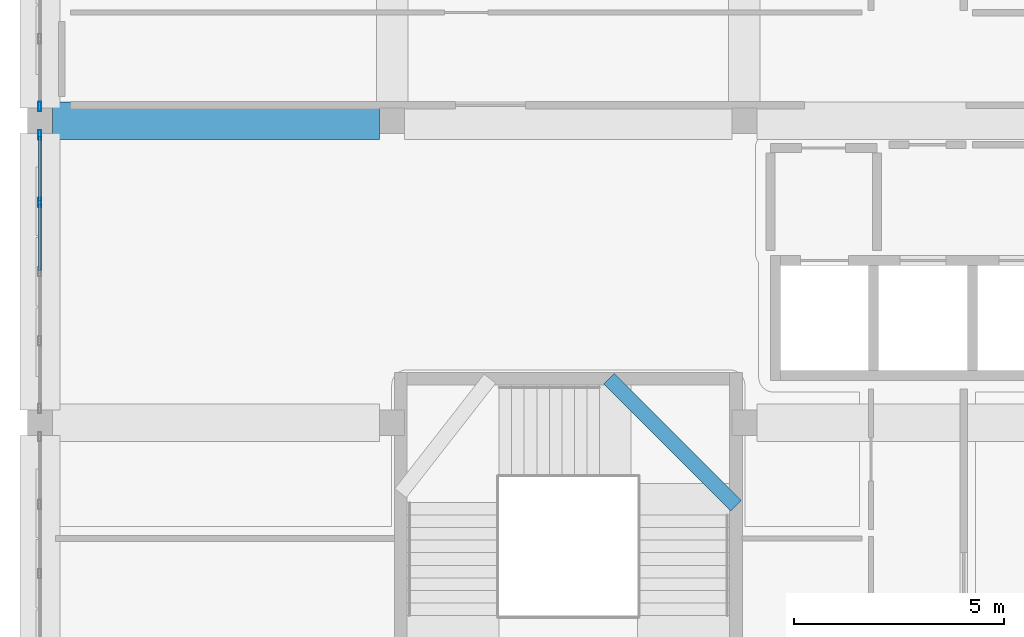
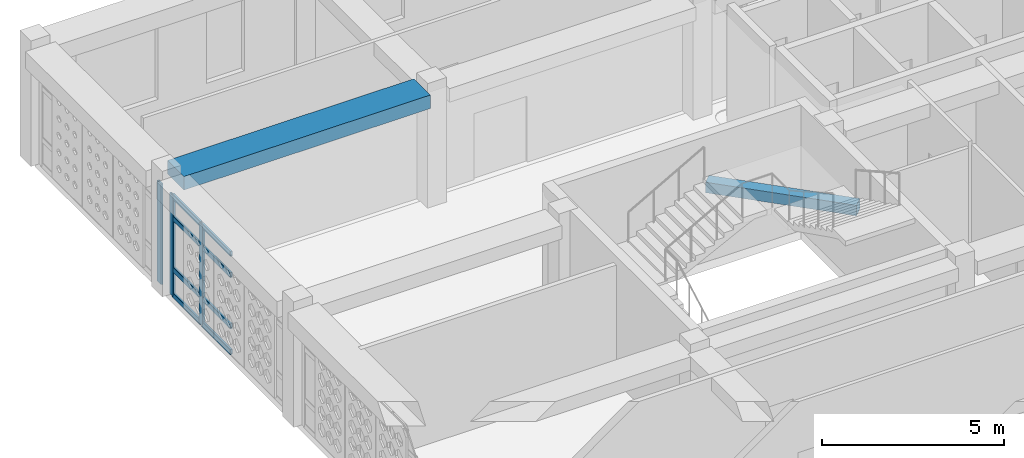
# One storey, part 9 of 48: 11 members, 2 beams, 2 elements without a shape of their own.
"""IFC4 building model written with IfcOpenShell, lengths in metres."""

from ifc_helpers import new_model, si_unit, derived_unit, direction, frame, origin, origin_2d, place, context, subcontext, project, spatial, rectangle, hollow_rectangle, extrude, material, material_profile, profile_set, type_object, element, aggregate, save


model = new_model("IFC4")

# Units and contexts
model_context = context("Model", 3, precision=1e-05, world=origin(), true_north=direction((0.0, 1.0)))
body_context = subcontext(model_context, "Body", "Model", "MODEL_VIEW")
ifc_project = project(units=[si_unit("LENGTHUNIT", "METRE"), si_unit("AREAUNIT", "SQUARE_METRE"), si_unit("VOLUMEUNIT", "CUBIC_METRE"), si_unit("PLANEANGLEUNIT", "RADIAN"), si_unit("MASSUNIT", "GRAM", prefix="KILO"), derived_unit("THERMALTRANSMITTANCEUNIT", [(si_unit("POWERUNIT", "WATT"), 1), (si_unit("LENGTHUNIT", "METRE"), -2), (si_unit("THERMODYNAMICTEMPERATUREUNIT", "KELVIN"), -1)])], contexts=[model_context])

# Site, building, storey
site_placement = place(None, origin())
site = spatial("IfcSite", under=ifc_project, at=site_placement, CompositionType="ELEMENT")
building_placement = place(site_placement, origin())
building = spatial("IfcBuilding", under=site, at=building_placement, Name="Veybourne Emporium", CompositionType="ELEMENT")
storey_placement = place(building_placement, frame((0.0, 0.0, 27.89990234375)))
storey = spatial("IfcBuildingStorey", under=building, at=storey_placement, Name="L06", CompositionType="ELEMENT", Elevation=27.89990234375)

# Curtain wall, members
ifc_material_1 = material(Name="Patinated Architectural Bronze", Category="bronze")
curtain_wall_type_1 = type_object("IfcCurtainWallType", Name="CWSystem_CWS-13", PredefinedType="NOTDEFINED", material=ifc_material_1)
curtain_wall_1_placement = place(storey_placement, origin())
curtain_wall_1 = element("IfcCurtainWall", 1, at=curtain_wall_1_placement, inside=storey, type_object=curtain_wall_type_1, Name="L06 bronze glazed curtain wall CWS-13 (005)", PredefinedType="NOTDEFINED")
ifc_material_profile_1 = material_profile(ifc_material_1, hollow_rectangle(XDim=0.072021484375, YDim=0.22509765625, WallThickness=0.0048828125, InnerFilletRadius=0.007568359375, OuterFilletRadius=0.012451171875, at=origin_2d()), Name="CWM 72x225x5")
ifc_profile_set_1 = profile_set([ifc_material_profile_1], Name="Patinated Architectural Bronze")
member_type_1 = type_object("IfcMemberType", Name="CWMullion_CW-M1", PredefinedType="MULLION", material=ifc_profile_set_1)
member_1_placement = place(storey_placement, frame((0.0, 41.25, 0.0), z_axis=(0.0, 0.0, 1.0), x_axis=(-1.0, 0.0, 0.0)))
member_1 = element("IfcMember", 2, at=member_1_placement, type_object=member_type_1, Name="CWS-13 mullion 4", PredefinedType="MULLION", context=body_context, shape_type="SweptSolid", body=[
    extrude(hollow_rectangle(XDim=0.072021484375, YDim=0.22509765625, WallThickness=0.0048828125, InnerFilletRadius=0.007568359375, OuterFilletRadius=0.012451171875, at=origin_2d()), origin(), (0.0, 0.0, 1.0), 3.360107421875),
])
member_2_placement = place(storey_placement, frame((0.0, 42.864013671875, 0.0), z_axis=(0.0, 0.0, 1.0), x_axis=(-1.0, 0.0, 0.0)))
member_2 = element("IfcMember", 3, at=member_2_placement, type_object=member_type_1, Name="CWS-13 mullion 5", PredefinedType="MULLION", context=body_context, shape_type="SweptSolid", body=[
    extrude(hollow_rectangle(XDim=0.072021484375, YDim=0.22509765625, WallThickness=0.0048828125, InnerFilletRadius=0.007568359375, OuterFilletRadius=0.012451171875, at=origin_2d()), origin(), (0.0, 0.0, 1.0), 3.360107421875),
])

# Curtain wall, member
curtain_wall_type_2 = type_object("IfcCurtainWallType", Name="CWSystem_CWS-14", PredefinedType="NOTDEFINED", material=ifc_material_1)
curtain_wall_2_placement = place(storey_placement, origin())
curtain_wall_2 = element("IfcCurtainWall", 4, at=curtain_wall_2_placement, inside=storey, type_object=curtain_wall_type_2, Name="L06 bronze glazed curtain wall CWS-14 (007)", PredefinedType="NOTDEFINED")
ifc_material_profile_2 = material_profile(ifc_material_1, hollow_rectangle(XDim=0.074951171875, YDim=0.22998046875, WallThickness=0.0048828125, InnerFilletRadius=0.007568359375, OuterFilletRadius=0.012451171875, at=origin_2d()), Name="CWM 75x230x5")
ifc_profile_set_2 = profile_set([ifc_material_profile_2], Name="Patinated Architectural Bronze")
member_type_2 = type_object("IfcMemberType", Name="CWMullion_CW-M2", PredefinedType="MULLION", material=ifc_profile_set_2)
member_3_placement = place(storey_placement, frame((0.0, 43.53759765625, 0.0), z_axis=(0.0, 0.0, 1.0), x_axis=(-1.0, 0.0, 0.0)))
member_3 = element("IfcMember", 5, at=member_3_placement, type_object=member_type_2, Name="CWS-14 mullion 1", PredefinedType="MULLION", context=body_context, shape_type="SweptSolid", body=[
    extrude(hollow_rectangle(XDim=0.074951171875, YDim=0.22998046875, WallThickness=0.0048828125, InnerFilletRadius=0.007568359375, OuterFilletRadius=0.012451171875, at=origin_2d()), origin(), (0.0, 0.0, 1.0), 3.360107421875),
])
aggregate(curtain_wall_2, [member_3])

# Member
ifc_material_profile_3 = material_profile(ifc_material_1, hollow_rectangle(XDim=0.072021484375, YDim=0.175048828125, WallThickness=0.0048828125, InnerFilletRadius=0.007568359375, OuterFilletRadius=0.012451171875, at=origin_2d()), Name="CWT 72x175x5")
ifc_profile_set_3 = profile_set([ifc_material_profile_3], Name="Patinated Architectural Bronze")
member_type_3 = type_object("IfcMemberType", Name="CWTransom_CW-T1", PredefinedType="NOTDEFINED", material=ifc_profile_set_3)
member_4_placement = place(storey_placement, frame((0.0, 39.635986328125, 0.0361328125), z_axis=(0.0, 1.0, 0.0), x_axis=(-1.0, 0.0, 0.0)))
member_4 = element("IfcMember", 6, at=member_4_placement, type_object=member_type_3, Name="CWS-13 transom 3.1", ObjectType="TRANSOM", PredefinedType="USERDEFINED", context=body_context, shape_type="SweptSolid", body=[
    extrude(hollow_rectangle(XDim=0.072021484375, YDim=0.175048828125, WallThickness=0.0048828125, InnerFilletRadius=0.007568359375, OuterFilletRadius=0.012451171875, at=origin_2d()), origin(), (0.0, 0.0, 1.0), 1.578125),
])

member_5_placement = place(storey_placement, frame((0.0, 39.635986328125, 0.900146484375), z_axis=(0.0, 1.0, 0.0), x_axis=(-1.0, 0.0, 0.0)))
member_5 = element("IfcMember", 7, at=member_5_placement, type_object=member_type_3, Name="CWS-13 transom 3.2", ObjectType="TRANSOM", PredefinedType="USERDEFINED", context=body_context, shape_type="SweptSolid", body=[
    extrude(hollow_rectangle(XDim=0.072021484375, YDim=0.175048828125, WallThickness=0.0048828125, InnerFilletRadius=0.007568359375, OuterFilletRadius=0.012451171875, at=origin_2d()), origin(), (0.0, 0.0, 1.0), 1.578125),
])

member_6_placement = place(storey_placement, frame((0.0, 39.635986328125, 2.610107421875), z_axis=(0.0, 1.0, 0.0), x_axis=(-1.0, 0.0, 0.0)))
member_6 = element("IfcMember", 8, at=member_6_placement, type_object=member_type_3, Name="CWS-13 transom 3.3", ObjectType="TRANSOM", PredefinedType="USERDEFINED", context=body_context, shape_type="SweptSolid", body=[
    extrude(hollow_rectangle(XDim=0.072021484375, YDim=0.175048828125, WallThickness=0.0048828125, InnerFilletRadius=0.007568359375, OuterFilletRadius=0.012451171875, at=origin_2d()), origin(), (0.0, 0.0, 1.0), 1.578125),
])

member_7_placement = place(storey_placement, frame((0.0, 39.635986328125, 3.32421875), z_axis=(0.0, 1.0, 0.0), x_axis=(-1.0, 0.0, 0.0)))
member_7 = element("IfcMember", 9, at=member_7_placement, type_object=member_type_3, Name="CWS-13 transom 3.4", ObjectType="TRANSOM", PredefinedType="USERDEFINED", context=body_context, shape_type="SweptSolid", body=[
    extrude(hollow_rectangle(XDim=0.072021484375, YDim=0.175048828125, WallThickness=0.0048828125, InnerFilletRadius=0.007568359375, OuterFilletRadius=0.012451171875, at=origin_2d()), origin(), (0.0, 0.0, 1.0), 1.578125),
])

member_8_placement = place(storey_placement, frame((0.0, 41.285888671875, 0.0361328125), z_axis=(0.0, 1.0, 0.0), x_axis=(-1.0, 0.0, 0.0)))
member_8 = element("IfcMember", 10, at=member_8_placement, type_object=member_type_3, Name="CWS-13 transom 4.1", ObjectType="TRANSOM", PredefinedType="USERDEFINED", context=body_context, shape_type="SweptSolid", body=[
    extrude(hollow_rectangle(XDim=0.072021484375, YDim=0.175048828125, WallThickness=0.0048828125, InnerFilletRadius=0.007568359375, OuterFilletRadius=0.012451171875, at=origin_2d()), origin(), (0.0, 0.0, 1.0), 1.5419921875),
])

member_9_placement = place(storey_placement, frame((0.0, 41.285888671875, 0.900146484375), z_axis=(0.0, 1.0, 0.0), x_axis=(-1.0, 0.0, 0.0)))
member_9 = element("IfcMember", 11, at=member_9_placement, type_object=member_type_3, Name="CWS-13 transom 4.2", ObjectType="TRANSOM", PredefinedType="USERDEFINED", context=body_context, shape_type="SweptSolid", body=[
    extrude(hollow_rectangle(XDim=0.072021484375, YDim=0.175048828125, WallThickness=0.0048828125, InnerFilletRadius=0.007568359375, OuterFilletRadius=0.012451171875, at=origin_2d()), origin(), (0.0, 0.0, 1.0), 1.5419921875),
])

member_10_placement = place(storey_placement, frame((0.0, 41.285888671875, 2.610107421875), z_axis=(0.0, 1.0, 0.0), x_axis=(-1.0, 0.0, 0.0)))
member_10 = element("IfcMember", 12, at=member_10_placement, type_object=member_type_3, Name="CWS-13 transom 4.3", ObjectType="TRANSOM", PredefinedType="USERDEFINED", context=body_context, shape_type="SweptSolid", body=[
    extrude(hollow_rectangle(XDim=0.072021484375, YDim=0.175048828125, WallThickness=0.0048828125, InnerFilletRadius=0.007568359375, OuterFilletRadius=0.012451171875, at=origin_2d()), origin(), (0.0, 0.0, 1.0), 1.5419921875),
])

member_11_placement = place(storey_placement, frame((0.0, 41.285888671875, 3.32421875), z_axis=(0.0, 1.0, 0.0), x_axis=(-1.0, 0.0, 0.0)))
member_11 = element("IfcMember", 13, at=member_11_placement, type_object=member_type_3, Name="CWS-13 transom 4.4", ObjectType="TRANSOM", PredefinedType="USERDEFINED", context=body_context, shape_type="SweptSolid", body=[
    extrude(hollow_rectangle(XDim=0.072021484375, YDim=0.175048828125, WallThickness=0.0048828125, InnerFilletRadius=0.007568359375, OuterFilletRadius=0.012451171875, at=origin_2d()), origin(), (0.0, 0.0, 1.0), 1.5419921875),
])

aggregate(curtain_wall_1, [member_1, member_2, member_4, member_5, member_6, member_7, member_8, member_9, member_10, member_11])

# Beams
ifc_material_2 = material(Name="Concrete C32/40", Category="concrete")
ifc_material_profile_4 = material_profile(ifc_material_2, rectangle(XDim=0.35009765625, YDim=0.35009765625, at=origin_2d()), Name="RC 350x350")
ifc_profile_set_4 = profile_set([ifc_material_profile_4], Name="Concrete C32/40")
beam_type_1 = type_object("IfcBeamType", Name="LandingBeam_LB-01", PredefinedType="BEAM", material=ifc_profile_set_4)
beam_1_placement = place(storey_placement, frame((13.570068359375, 37.050048828125, 2.47509765625), z_axis=(0.707106781187, -0.707106781187, 0.0), x_axis=(0.707106781187, 0.707106781187, 0.0)))
element("IfcBeam", 14, at=beam_1_placement, inside=storey, type_object=beam_type_1, Name="L06 ST-02 landing 2 support beam", PredefinedType="BEAM", context=body_context, shape_type="SweptSolid", body=[
    extrude(rectangle(XDim=0.35009765625, YDim=0.35009765625, at=origin_2d()), origin(), (0.0, 0.0, 1.0), 4.28515625),
])
ifc_material_profile_5 = material_profile(ifc_material_2, rectangle(XDim=0.89990234375, YDim=0.449951171875, at=origin_2d()), Name="RC 900x450")
ifc_profile_set_5 = profile_set([ifc_material_profile_5], Name="Concrete C32/40")
beam_type_2 = type_object("IfcBeamType", Name="RCBeam_BB-03", PredefinedType="BEAM", material=ifc_profile_set_5)
beam_2_placement = place(storey_placement, frame((0.300048828125, 43.199951171875, 3.68505859375), z_axis=(1.0, 0.0, 0.0), x_axis=(0.0, 1.0, 0.0)))
element("IfcBeam", 15, at=beam_2_placement, inside=storey, type_object=beam_type_2, Name="L06 X-grid beam BB-03 (0,6)", PredefinedType="BEAM", context=body_context, shape_type="SweptSolid", body=[
    extrude(rectangle(XDim=0.89990234375, YDim=0.449951171875, at=origin_2d()), origin(), (0.0, 0.0, 1.0), 7.800048828125),
])

save(model, "model.ifc")
